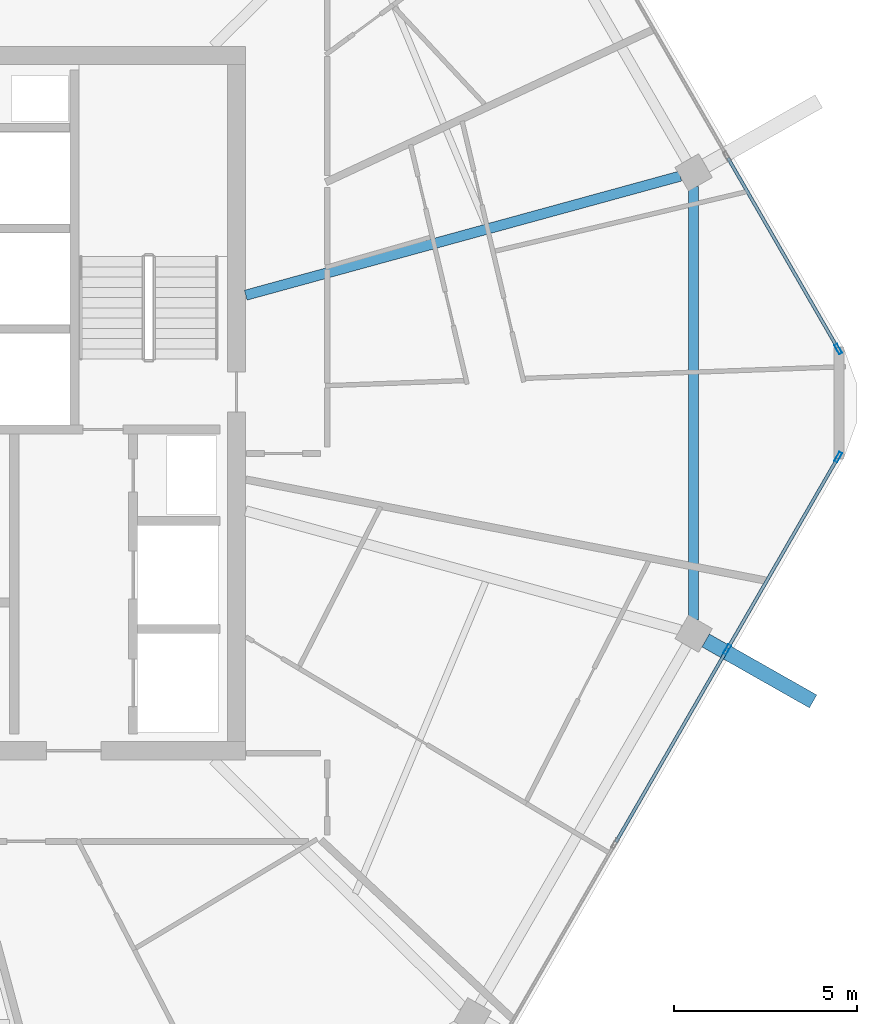
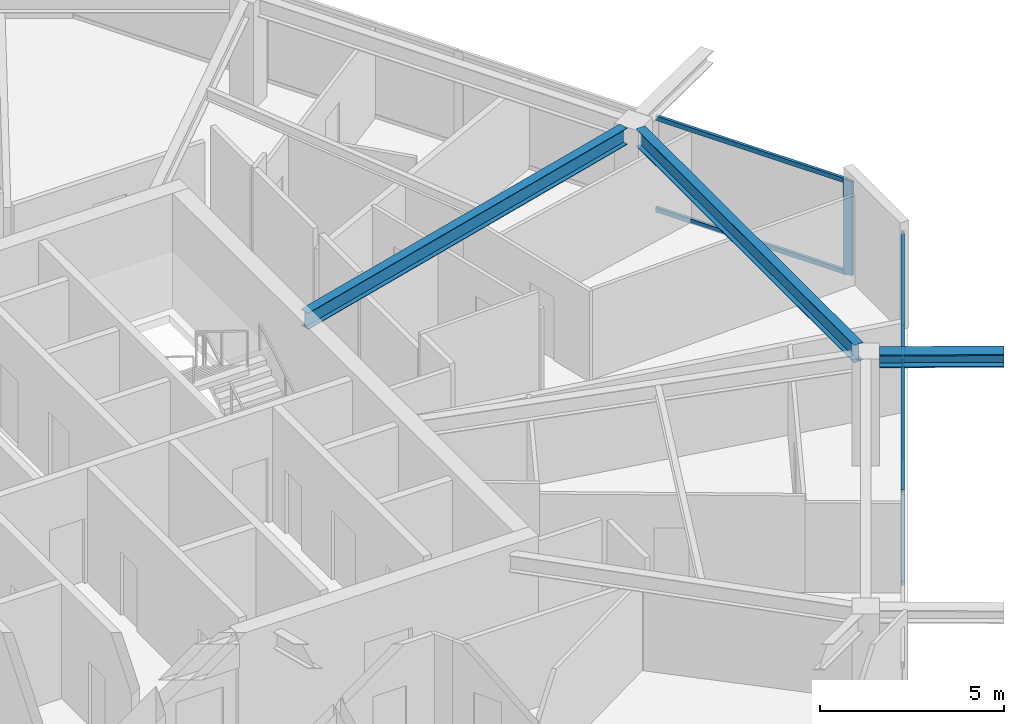
# One storey, part 7 of 21: 9 members, 3 beams, 2 elements without a shape of their own.
"""IFC4 building model written with IfcOpenShell, lengths in metres."""

from ifc_helpers import new_model, si_unit, direction, frame, origin, origin_2d, place, context, subcontext, project, spatial, hollow_rectangle, i_section, extrude, material, material_profile, profile_set, type_object, element, aggregate, save


model = new_model("IFC4")

# Units and contexts
model_context = context("Model", 3, precision=1e-05, world=origin(), true_north=direction((0.0, 1.0)))
body_context = subcontext(model_context, "Body", "Model", "MODEL_VIEW")
ifc_project = project(units=[si_unit("LENGTHUNIT", "METRE"), si_unit("AREAUNIT", "SQUARE_METRE"), si_unit("VOLUMEUNIT", "CUBIC_METRE"), si_unit("PLANEANGLEUNIT", "RADIAN"), si_unit("MASSUNIT", "GRAM", prefix="KILO")], contexts=[model_context])

# Site, building, storey
site_placement = place(None, origin())
site = spatial("IfcSite", under=ifc_project, at=site_placement, CompositionType="ELEMENT")
building_placement = place(site_placement, origin())
building = spatial("IfcBuilding", under=site, at=building_placement, Name="Zuhravey Tower", CompositionType="ELEMENT")
storey_placement = place(building_placement, frame((0.0, 0.0, 334.800048828125)))
storey = spatial("IfcBuildingStorey", under=building, at=storey_placement, Name="L85", CompositionType="ELEMENT", Elevation=334.800048828125)

# Curtain wall, members
ifc_material_1 = material(Name="Thermally broken anodised aluminium", Category="aluminium")
curtain_wall_type = type_object("IfcCurtainWallType", Name="Zone 3-4 High-Rise Curtain Wall CW4", PredefinedType="NOTDEFINED", material=ifc_material_1)
curtain_wall_1_placement = place(storey_placement, origin())
curtain_wall_1 = element("IfcCurtainWall", 1, at=curtain_wall_1_placement, inside=storey, type_object=curtain_wall_type, Name="L85 CW4 CW-L85-F6-1", PredefinedType="NOTDEFINED")
ifc_material_2 = material(Name="Anodised aluminium", Category="aluminium")
ifc_material_profile_1 = material_profile(ifc_material_2, hollow_rectangle(XDim=0.090087890625, YDim=0.284912109375, WallThickness=0.0048828125, at=origin_2d()), Name="ALU-RHS-90x285x5")
ifc_profile_set_1 = profile_set([ifc_material_profile_1], Name="Anodised aluminium")
member_type_1 = type_object("IfcMemberType", Name="Curtain-Wall Mullion 90x180", PredefinedType="MULLION", material=ifc_profile_set_1)
member_1_placement = place(storey_placement, frame((62.94580078125, 30.5234375, 0.0), z_axis=(0.0, 0.0, 1.0), x_axis=(0.866025511541, -0.49999981336, 0.0)))
member_1 = element("IfcMember", 2, at=member_1_placement, type_object=member_type_1, Name="CW4 mullion 1", PredefinedType="MULLION", context=body_context, shape_type="SweptSolid", body=[
    extrude(hollow_rectangle(XDim=0.090087890625, YDim=0.284912109375, WallThickness=0.0048828125, at=origin_2d()), origin(), (0.0, 0.0, 1.0), 3.1220703125),
])
member_2_placement = place(storey_placement, frame((59.90869140625, 25.2626953125, 0.0), z_axis=(0.0, 0.0, 1.0), x_axis=(0.866025511541, -0.49999981336, 0.0)))
member_2 = element("IfcMember", 3, at=member_2_placement, type_object=member_type_1, Name="CW4 mullion 2", PredefinedType="MULLION", context=body_context, shape_type="SweptSolid", body=[
    extrude(hollow_rectangle(XDim=0.090087890625, YDim=0.284912109375, WallThickness=0.0048828125, at=origin_2d()), origin(), (0.0, 0.0, 1.0), 3.1220703125),
])

# Curtain wall, member
curtain_wall_2_placement = place(storey_placement, origin())
curtain_wall_2 = element("IfcCurtainWall", 4, at=curtain_wall_2_placement, inside=storey, type_object=curtain_wall_type, Name="L85 CW4 CW-L85-F1-1", PredefinedType="NOTDEFINED")
member_3_placement = place(storey_placement, frame((62.94580078125, 33.4765625, 0.0), z_axis=(0.0, 0.0, 1.0), x_axis=(0.866025511541, 0.49999981336, 0.0)))
member_3 = element("IfcMember", 5, at=member_3_placement, type_object=member_type_1, Name="CW4 mullion 5", PredefinedType="MULLION", context=body_context, shape_type="SweptSolid", body=[
    extrude(hollow_rectangle(XDim=0.090087890625, YDim=0.284912109375, WallThickness=0.0048828125, at=origin_2d()), origin(), (0.0, 0.0, 1.0), 3.1220703125),
])

# Member
ifc_material_profile_2 = material_profile(ifc_material_2, hollow_rectangle(XDim=0.090087890625, YDim=0.14990234375, WallThickness=0.0048828125, at=origin_2d()), Name="ALU-RHS-90x150x5")
ifc_profile_set_2 = profile_set([ifc_material_profile_2], Name="Anodised aluminium")
member_type_2 = type_object("IfcMemberType", Name="Curtain-Wall Transom 90x150", PredefinedType="USERDEFINED", material=ifc_profile_set_2)
member_4_placement = place(storey_placement, frame((62.92333984375, 30.484619140625, 0.044921875), z_axis=(-0.499982594807, -0.866035452444, 0.0), x_axis=(0.866035452444, -0.499982594807, 0.0)))
member_4 = element("IfcMember", 6, at=member_4_placement, type_object=member_type_2, Name="CW4 transom 1.1", ObjectType="TRANSOM", PredefinedType="USERDEFINED", context=body_context, shape_type="SweptSolid", body=[
    extrude(hollow_rectangle(XDim=0.090087890625, YDim=0.14990234375, WallThickness=0.0048828125, at=origin_2d()), origin(), (0.0, 0.0, 1.0), 5.984619140625),
])

member_5_placement = place(storey_placement, frame((62.92333984375, 30.484619140625, 3.076904296875), z_axis=(-0.499982594807, -0.866035452444, 0.0), x_axis=(0.866035452444, -0.499982594807, 0.0)))
member_5 = element("IfcMember", 7, at=member_5_placement, type_object=member_type_2, Name="CW4 transom 1.2", ObjectType="TRANSOM", PredefinedType="USERDEFINED", context=body_context, shape_type="SweptSolid", body=[
    extrude(hollow_rectangle(XDim=0.090087890625, YDim=0.14990234375, WallThickness=0.0048828125, at=origin_2d()), origin(), (0.0, 0.0, 1.0), 5.984619140625),
])

member_6_placement = place(storey_placement, frame((59.885986328125, 25.2236328125, 0.044921875), z_axis=(-0.499988837749, -0.866031848217, 0.0), x_axis=(0.866031848217, -0.499988837749, 0.0)))
member_6 = element("IfcMember", 8, at=member_6_placement, type_object=member_type_2, Name="CW4 transom 2.1", ObjectType="TRANSOM", PredefinedType="USERDEFINED", context=body_context, shape_type="SweptSolid", body=[
    extrude(hollow_rectangle(XDim=0.090087890625, YDim=0.14990234375, WallThickness=0.0048828125, at=origin_2d()), origin(), (0.0, 0.0, 1.0), 6.029541015625),
])

member_7_placement = place(storey_placement, frame((59.885986328125, 25.2236328125, 3.076904296875), z_axis=(-0.499988837749, -0.866031848217, 0.0), x_axis=(0.866031848217, -0.499988837749, 0.0)))
member_7 = element("IfcMember", 9, at=member_7_placement, type_object=member_type_2, Name="CW4 transom 2.2", ObjectType="TRANSOM", PredefinedType="USERDEFINED", context=body_context, shape_type="SweptSolid", body=[
    extrude(hollow_rectangle(XDim=0.090087890625, YDim=0.14990234375, WallThickness=0.0048828125, at=origin_2d()), origin(), (0.0, 0.0, 1.0), 6.029541015625),
])

aggregate(curtain_wall_1, [member_1, member_2, member_4, member_5, member_6, member_7])

member_8_placement = place(storey_placement, frame((59.93115234375, 38.6982421875, 0.044921875), z_axis=(0.499982594807, -0.866035452444, 0.0), x_axis=(0.866035452444, 0.499982594807, 0.0)))
member_8 = element("IfcMember", 10, at=member_8_placement, type_object=member_type_2, Name="CW4 transom 4.1", ObjectType="TRANSOM", PredefinedType="USERDEFINED", context=body_context, shape_type="SweptSolid", body=[
    extrude(hollow_rectangle(XDim=0.090087890625, YDim=0.14990234375, WallThickness=0.0048828125, at=origin_2d()), origin(), (0.0, 0.0, 1.0), 5.984619140625),
])

member_9_placement = place(storey_placement, frame((59.93115234375, 38.6982421875, 3.076904296875), z_axis=(0.499982594807, -0.866035452444, 0.0), x_axis=(0.866035452444, 0.499982594807, 0.0)))
member_9 = element("IfcMember", 11, at=member_9_placement, type_object=member_type_2, Name="CW4 transom 4.2", ObjectType="TRANSOM", PredefinedType="USERDEFINED", context=body_context, shape_type="SweptSolid", body=[
    extrude(hollow_rectangle(XDim=0.090087890625, YDim=0.14990234375, WallThickness=0.0048828125, at=origin_2d()), origin(), (0.0, 0.0, 1.0), 5.984619140625),
])

aggregate(curtain_wall_2, [member_3, member_8, member_9])

# Beams
ifc_material_3 = material(Name="Steel SM460", Category="steel")
ifc_material_profile_3 = material_profile(ifc_material_3, i_section(OverallWidth=0.406982421875, OverallDepth=0.427978515625, WebThickness=0.02001953125, FlangeThickness=0.034912109375, at=origin_2d()), Name="H-428x407x20x35")
ifc_profile_set_3 = profile_set([ifc_material_profile_3], Name="Steel SM460")
beam_type_1 = type_object("IfcBeamType", Name="Exoskeleton Node Tie Beam H428x407", PredefinedType="BEAM", material=ifc_profile_set_3)
beam_1_placement = place(storey_placement, frame((59.322998046875, 25.510498046875, 3.3359375), z_axis=(0.86983187014, -0.493348272206, 0.0), x_axis=(0.493348272206, 0.86983187014, 0.0)))
element("IfcBeam", 12, at=beam_1_placement, inside=storey, type_object=beam_type_1, Name="L85 Exoskeleton Node Tie NT1-12", PredefinedType="BEAM", context=body_context, shape_type="SweptSolid", body=[
    extrude(i_section(OverallWidth=0.406982421875, OverallDepth=0.427978515625, WebThickness=0.02001953125, FlangeThickness=0.034912109375, at=origin_2d()), origin(), (0.0, 0.0, 1.0), 3.3759765625),
])
ifc_material_4 = material(Name="Steel SM355", Category="steel")
ifc_material_profile_4 = material_profile(ifc_material_4, i_section(OverallWidth=0.280029296875, OverallDepth=0.580078125, WebThickness=0.011962890625, FlangeThickness=0.01904296875, at=origin_2d()), Name="H-580x280x12x19")
ifc_profile_set_4 = profile_set([ifc_material_profile_4], Name="Steel SM355")
beam_type_2 = type_object("IfcBeamType", Name="Perimeter Ring Beam H580x280", PredefinedType="BEAM", material=ifc_profile_set_4)
beam_2_placement = place(storey_placement, frame((58.993408203125, 26.07568359375, 3.260009765625), z_axis=(0.0, 1.0, 0.0), x_axis=(-1.0, 0.0, 0.0)))
element("IfcBeam", 13, at=beam_2_placement, inside=storey, type_object=beam_type_2, Name="L85 PB4 BM-L85-PB-12", PredefinedType="BEAM", context=body_context, shape_type="SweptSolid", body=[
    extrude(i_section(OverallWidth=0.280029296875, OverallDepth=0.580078125, WebThickness=0.011962890625, FlangeThickness=0.01904296875, at=origin_2d()), origin(), (0.0, 0.0, 1.0), 11.8486328125),
])
ifc_material_profile_5 = material_profile(ifc_material_4, i_section(OverallWidth=0.280029296875, OverallDepth=0.550048828125, WebThickness=0.010986328125, FlangeThickness=0.01806640625, at=origin_2d()), Name="H-550x280x11x18")
ifc_profile_set_5 = profile_set([ifc_material_profile_5], Name="Steel SM355")
beam_type_3 = type_object("IfcBeamType", Name="Radial Primary Girder H550x280", PredefinedType="BEAM", material=ifc_profile_set_5)
beam_3_placement = place(storey_placement, frame((46.7529296875, 34.947265625, 3.27490234375), z_axis=(0.964428588077, 0.264343523658, 0.0), x_axis=(-0.264343523658, 0.964428588077, 0.0)))
element("IfcBeam", 14, at=beam_3_placement, inside=storey, type_object=beam_type_3, Name="L85 RG4 BM-L85-RAD-01", PredefinedType="BEAM", context=body_context, shape_type="SweptSolid", body=[
    extrude(i_section(OverallWidth=0.280029296875, OverallDepth=0.550048828125, WebThickness=0.010986328125, FlangeThickness=0.01806640625, at=origin_2d()), origin(), (0.0, 0.0, 1.0), 12.31396484375),
])

save(model, "model.ifc")
